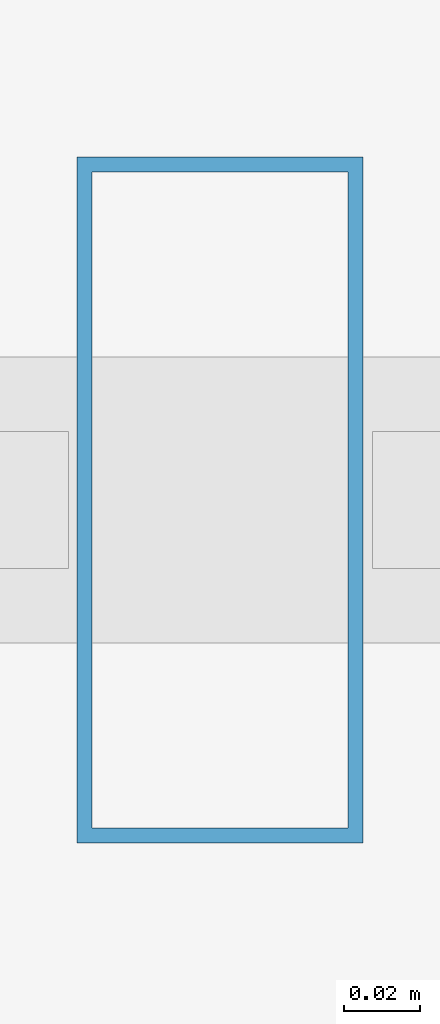
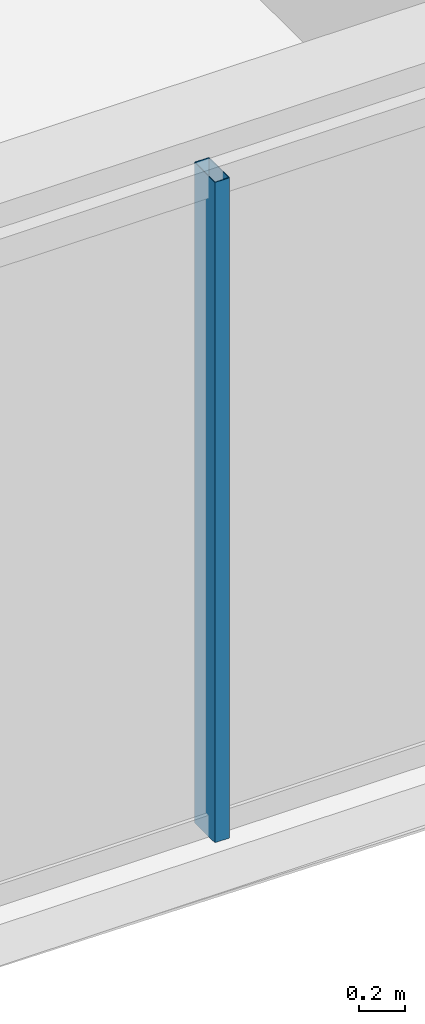
# One storey, part 5 of 35: 1 member, 1 element without a shape of its own.
"""IFC4 building model written with IfcOpenShell, lengths in metres."""

from ifc_helpers import new_model, si_unit, direction, frame, origin, origin_2d, place, context, subcontext, project, spatial, hollow_rectangle, extrude, material, layer, layer_set, material_profile, profile_set, type_object, element, aggregate, save


model = new_model("IFC4")

# Units and contexts
model_context = context("Model", 3, precision=1e-05, world=origin(), true_north=direction((0.0, 1.0)))
body_context = subcontext(model_context, "Body", "Model", "MODEL_VIEW")
ifc_project = project(units=[si_unit("LENGTHUNIT", "METRE"), si_unit("AREAUNIT", "SQUARE_METRE"), si_unit("VOLUMEUNIT", "CUBIC_METRE"), si_unit("PLANEANGLEUNIT", "RADIAN"), si_unit("MASSUNIT", "GRAM", prefix="KILO")], contexts=[model_context])

# Site, building, storey
site_placement = place(None, origin())
site = spatial("IfcSite", under=ifc_project, at=site_placement, CompositionType="ELEMENT")
building_placement = place(site_placement, origin())
building = spatial("IfcBuilding", under=site, at=building_placement, Name="Ndaravel Arena Tower", CompositionType="ELEMENT")
storey_placement = place(building_placement, frame((0.0, 0.0, 275.0)))
storey = spatial("IfcBuildingStorey", under=building, at=storey_placement, Name="L67", CompositionType="ELEMENT", Elevation=275.0)

# Curtain wall, member
ifc_material_1 = material(Name="Aluminium", Category="aluminium")
ifc_layer = layer(ifc_material_1, 0.179931640625)
ifc_layer_set = layer_set([ifc_layer], Name="Aluminium")
curtain_wall_type = type_object("IfcCurtainWallType", Name="CW-SYS-03", PredefinedType="NOTDEFINED", material=ifc_layer_set)
curtain_wall_placement = place(storey_placement, origin())
curtain_wall = element("IfcCurtainWall", 1, at=curtain_wall_placement, inside=storey, type_object=curtain_wall_type, Name="L67 Faceted Crystal Curtain Wall CW-L67-E01", PredefinedType="NOTDEFINED")
ifc_material_2 = material(Name="Aluminium", Category="aluminium")
ifc_material_profile = material_profile(ifc_material_2, hollow_rectangle(XDim=0.074951171875, YDim=0.179931640625, WallThickness=0.00390625, at=origin_2d()), Name="CW MULLION 75x180x4")
ifc_profile_set = profile_set([ifc_material_profile], Name="Aluminium")
member_type = type_object("IfcMemberType", Name="MEM-CW-MUL180", PredefinedType="MULLION", material=ifc_profile_set)
member_placement = place(storey_placement, frame((35.346923828125, 5.159912109375, 0.0), z_axis=(0.0, 0.0, 1.0), x_axis=(1.0, 0.0, 0.0)))
member = element("IfcMember", 2, at=member_placement, type_object=member_type, Name="CW-L67-E01 Mullion 03", PredefinedType="MULLION", context=body_context, shape_type="SweptSolid", body=[
    extrude(hollow_rectangle(XDim=0.074951171875, YDim=0.179931640625, WallThickness=0.00390625, at=origin_2d()), origin(), (0.0, 0.0, 1.0), 3.52001953125),
])
aggregate(curtain_wall, [member])

save(model, "model.ifc")
